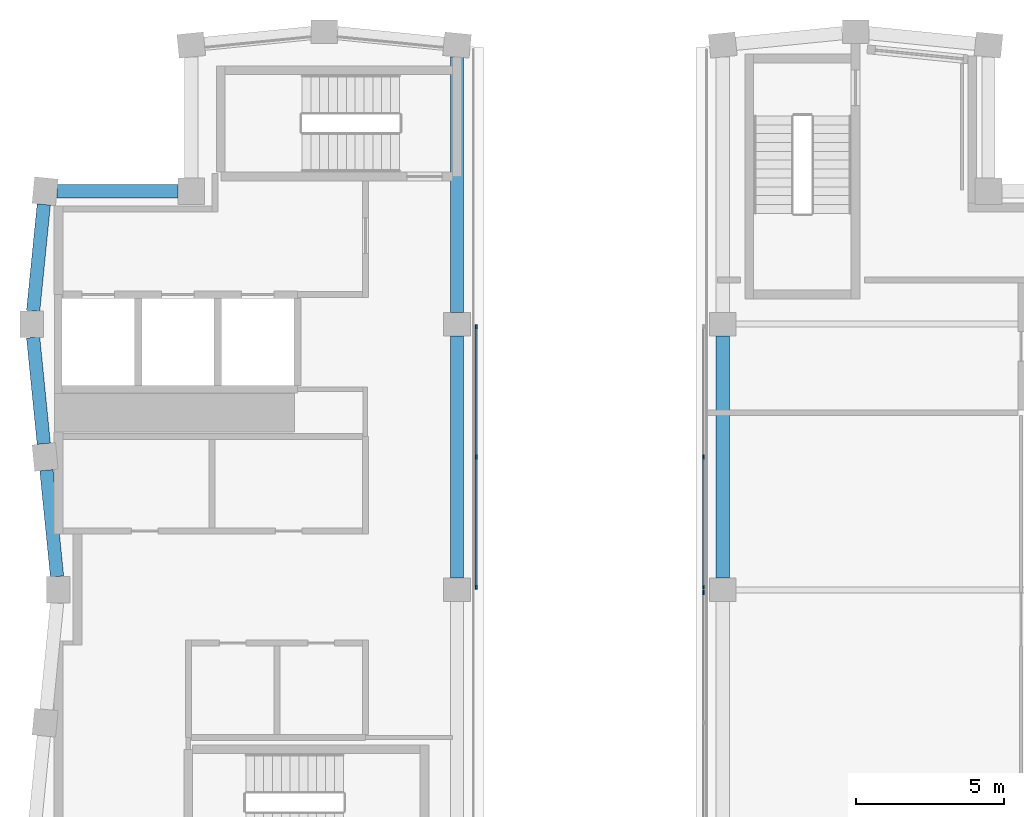
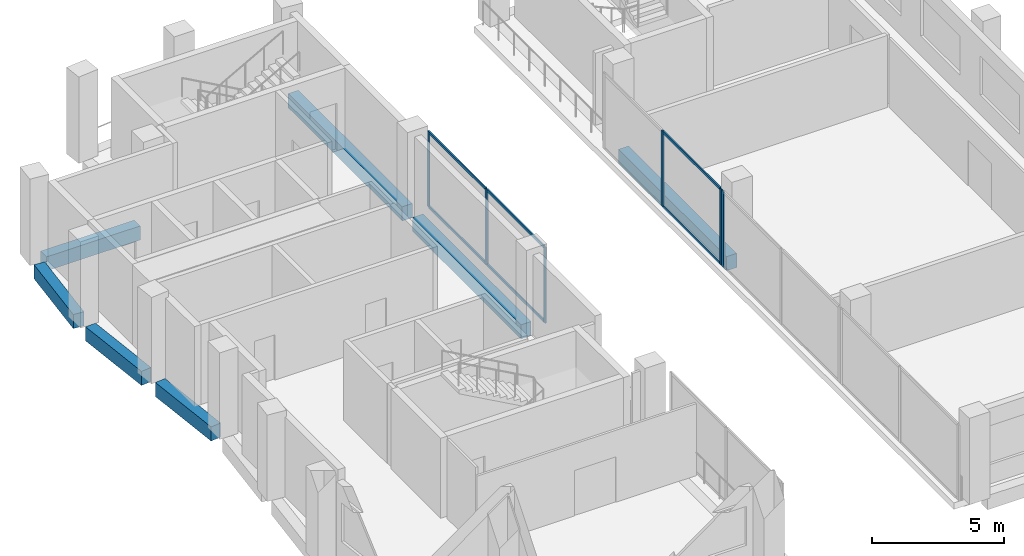
# One storey, part 4 of 9: 12 members, 7 beams, 3 elements without a shape of their own.
"""IFC4 building model written with IfcOpenShell, lengths in metres."""

from ifc_helpers import new_model, si_unit, direction, frame, origin, origin_2d, place, context, subcontext, project, spatial, rectangle, extrude, material, material_profile, profile_set, type_object, element, aggregate, save


model = new_model("IFC4")

# Units and contexts
model_context = context("Model", 3, precision=1e-05, world=origin(), true_north=direction((0.0, 1.0)))
body_context = subcontext(model_context, "Body", "Model", "MODEL_VIEW")
ifc_project = project(units=[si_unit("LENGTHUNIT", "METRE"), si_unit("AREAUNIT", "SQUARE_METRE"), si_unit("VOLUMEUNIT", "CUBIC_METRE"), si_unit("PLANEANGLEUNIT", "RADIAN"), si_unit("MASSUNIT", "GRAM", prefix="KILO")], contexts=[model_context])

# Site, building, storey
site_placement = place(None, origin())
site = spatial("IfcSite", under=ifc_project, at=site_placement, CompositionType="ELEMENT")
building_placement = place(site_placement, origin())
building = spatial("IfcBuilding", under=site, at=building_placement, Name="Brondeck Convention Tower", CompositionType="ELEMENT")
storey_placement = place(building_placement, frame((0.0, 0.0, 286.800048828125)))
storey = spatial("IfcBuildingStorey", under=building, at=storey_placement, Name="L71", CompositionType="ELEMENT", Elevation=286.800048828125)

# Curtain wall, members
ifc_material_1 = material(Name="Aluminium, bronze anodised", Category="aluminium")
curtain_wall_type = type_object("IfcCurtainWallType", Name="Crown screen curtain wall", PredefinedType="NOTDEFINED", material=ifc_material_1)
curtain_wall_1_placement = place(storey_placement, origin())
curtain_wall_1 = element("IfcCurtainWall", 1, at=curtain_wall_1_placement, inside=storey, type_object=curtain_wall_type, Name="ENV-CW4-L71-K1-SLOT-W-05", PredefinedType="NOTDEFINED")
ifc_material_profile_1 = material_profile(ifc_material_1, rectangle(XDim=0.06005859375, YDim=0.139892578125, at=origin_2d()), Name="CW4 mullion")
ifc_profile_set_1 = profile_set([ifc_material_profile_1], Name="Aluminium, bronze anodised")
member_type_1 = type_object("IfcMemberType", Name="CW4 mullion", PredefinedType="MULLION", material=ifc_profile_set_1)
member_1_placement = place(storey_placement, frame((14.14990234375, 53.909912109375, 0.0), z_axis=(0.0, 0.0, 1.0), x_axis=(1.0, 0.0, 0.0)))
member_1 = element("IfcMember", 2, at=member_1_placement, type_object=member_type_1, Name="CW4 mullion 1", PredefinedType="MULLION", context=body_context, shape_type="SweptSolid", body=[
    extrude(rectangle(XDim=0.06005859375, YDim=0.139892578125, at=origin_2d()), origin(), (0.0, 0.0, 1.0), 3.5),
])
member_2_placement = place(storey_placement, frame((14.14990234375, 49.5, 0.0), z_axis=(0.0, 0.0, 1.0), x_axis=(1.0, 0.0, 0.0)))
member_2 = element("IfcMember", 3, at=member_2_placement, type_object=member_type_1, Name="CW4 mullion 2", PredefinedType="MULLION", context=body_context, shape_type="SweptSolid", body=[
    extrude(rectangle(XDim=0.06005859375, YDim=0.139892578125, at=origin_2d()), origin(), (0.0, 0.0, 1.0), 3.5),
])
member_3_placement = place(storey_placement, frame((14.14990234375, 45.090087890625, 0.0), z_axis=(0.0, 0.0, 1.0), x_axis=(1.0, 0.0, 0.0)))
member_3 = element("IfcMember", 4, at=member_3_placement, type_object=member_type_1, Name="CW4 mullion 3", PredefinedType="MULLION", context=body_context, shape_type="SweptSolid", body=[
    extrude(rectangle(XDim=0.06005859375, YDim=0.139892578125, at=origin_2d()), origin(), (0.0, 0.0, 1.0), 3.5),
])

curtain_wall_2_placement = place(storey_placement, origin())
curtain_wall_2 = element("IfcCurtainWall", 5, at=curtain_wall_2_placement, inside=storey, type_object=curtain_wall_type, Name="ENV-CW4-L71-K2-SLOT-E-03", PredefinedType="NOTDEFINED")
member_4_placement = place(storey_placement, frame((21.85009765625, 45.090087890625, 0.0), z_axis=(0.0, 0.0, 1.0), x_axis=(-1.0, 0.0, 0.0)))
member_4 = element("IfcMember", 6, at=member_4_placement, type_object=member_type_1, Name="CW4 mullion 1", PredefinedType="MULLION", context=body_context, shape_type="SweptSolid", body=[
    extrude(rectangle(XDim=0.06005859375, YDim=0.139892578125, at=origin_2d()), origin(), (0.0, 0.0, 1.0), 3.5),
])
member_5_placement = place(storey_placement, frame((21.85009765625, 49.5, 0.0), z_axis=(0.0, 0.0, 1.0), x_axis=(-1.0, 0.0, 0.0)))
member_5 = element("IfcMember", 7, at=member_5_placement, type_object=member_type_1, Name="CW4 mullion 2", PredefinedType="MULLION", context=body_context, shape_type="SweptSolid", body=[
    extrude(rectangle(XDim=0.06005859375, YDim=0.139892578125, at=origin_2d()), origin(), (0.0, 0.0, 1.0), 3.5),
])

# Curtain wall, member
curtain_wall_3_placement = place(storey_placement, origin())
curtain_wall_3 = element("IfcCurtainWall", 8, at=curtain_wall_3_placement, inside=storey, type_object=curtain_wall_type, Name="ENV-CW4-L71-K2-SLOT-E-05", PredefinedType="NOTDEFINED")
member_6_placement = place(storey_placement, frame((21.85009765625, 44.909912109375, 0.0), z_axis=(0.0, 0.0, 1.0), x_axis=(-1.0, 0.0, 0.0)))
member_6 = element("IfcMember", 9, at=member_6_placement, type_object=member_type_1, Name="CW4 mullion 3", PredefinedType="MULLION", context=body_context, shape_type="SweptSolid", body=[
    extrude(rectangle(XDim=0.06005859375, YDim=0.139892578125, at=origin_2d()), origin(), (0.0, 0.0, 1.0), 3.5),
])
aggregate(curtain_wall_3, [member_6])

# Member
ifc_material_profile_2 = material_profile(ifc_material_1, rectangle(XDim=0.06005859375, YDim=0.1201171875, at=origin_2d()), Name="CW4 transom")
ifc_profile_set_2 = profile_set([ifc_material_profile_2], Name="Aluminium, bronze anodised")
member_type_2 = type_object("IfcMemberType", Name="CW4 transom", PredefinedType="USERDEFINED", material=ifc_profile_set_2)
member_7_placement = place(storey_placement, frame((14.14990234375, 53.8798828125, 0.030029296875), z_axis=(0.0, -1.0, 0.0), x_axis=(1.0, 0.0, 0.0)))
member_7 = element("IfcMember", 10, at=member_7_placement, type_object=member_type_2, Name="CW4 transom 1.1", ObjectType="TRANSOM", PredefinedType="USERDEFINED", context=body_context, shape_type="SweptSolid", body=[
    extrude(rectangle(XDim=0.06005859375, YDim=0.1201171875, at=origin_2d()), origin(), (0.0, 0.0, 1.0), 4.349853515625),
])

member_8_placement = place(storey_placement, frame((14.14990234375, 53.8798828125, 3.469970703125), z_axis=(0.0, -1.0, 0.0), x_axis=(1.0, 0.0, 0.0)))
member_8 = element("IfcMember", 11, at=member_8_placement, type_object=member_type_2, Name="CW4 transom 1.2", ObjectType="TRANSOM", PredefinedType="USERDEFINED", context=body_context, shape_type="SweptSolid", body=[
    extrude(rectangle(XDim=0.06005859375, YDim=0.1201171875, at=origin_2d()), origin(), (0.0, 0.0, 1.0), 4.349853515625),
])

member_9_placement = place(storey_placement, frame((14.14990234375, 49.469970703125, 0.030029296875), z_axis=(0.0, -1.0, 0.0), x_axis=(1.0, 0.0, 0.0)))
member_9 = element("IfcMember", 12, at=member_9_placement, type_object=member_type_2, Name="CW4 transom 2.1", ObjectType="TRANSOM", PredefinedType="USERDEFINED", context=body_context, shape_type="SweptSolid", body=[
    extrude(rectangle(XDim=0.06005859375, YDim=0.1201171875, at=origin_2d()), origin(), (0.0, 0.0, 1.0), 4.349853515625),
])

member_10_placement = place(storey_placement, frame((14.14990234375, 49.469970703125, 3.469970703125), z_axis=(0.0, -1.0, 0.0), x_axis=(1.0, 0.0, 0.0)))
member_10 = element("IfcMember", 13, at=member_10_placement, type_object=member_type_2, Name="CW4 transom 2.2", ObjectType="TRANSOM", PredefinedType="USERDEFINED", context=body_context, shape_type="SweptSolid", body=[
    extrude(rectangle(XDim=0.06005859375, YDim=0.1201171875, at=origin_2d()), origin(), (0.0, 0.0, 1.0), 4.349853515625),
])

aggregate(curtain_wall_1, [member_1, member_2, member_3, member_7, member_8, member_9, member_10])

member_11_placement = place(storey_placement, frame((21.85009765625, 45.1201171875, 0.030029296875), z_axis=(0.0, 1.0, 0.0), x_axis=(-1.0, 0.0, 0.0)))
member_11 = element("IfcMember", 14, at=member_11_placement, type_object=member_type_2, Name="CW4 transom 1.1", ObjectType="TRANSOM", PredefinedType="USERDEFINED", context=body_context, shape_type="SweptSolid", body=[
    extrude(rectangle(XDim=0.06005859375, YDim=0.1201171875, at=origin_2d()), origin(), (0.0, 0.0, 1.0), 4.349853515625),
])

member_12_placement = place(storey_placement, frame((21.85009765625, 45.1201171875, 3.469970703125), z_axis=(0.0, 1.0, 0.0), x_axis=(-1.0, 0.0, 0.0)))
member_12 = element("IfcMember", 15, at=member_12_placement, type_object=member_type_2, Name="CW4 transom 1.2", ObjectType="TRANSOM", PredefinedType="USERDEFINED", context=body_context, shape_type="SweptSolid", body=[
    extrude(rectangle(XDim=0.06005859375, YDim=0.1201171875, at=origin_2d()), origin(), (0.0, 0.0, 1.0), 4.349853515625),
])

aggregate(curtain_wall_2, [member_4, member_5, member_11, member_12])

# Beams
ifc_material_2 = material(Name="Concrete C50/60", Category="concrete")
ifc_material_profile_3 = material_profile(ifc_material_2, rectangle(XDim=0.449951171875, YDim=0.64990234375, at=origin_2d()), Name="Precast spandrel 450x650 Concrete C50/60")
ifc_profile_set_3 = profile_set([ifc_material_profile_3], Name="Concrete C50/60")
beam_type = type_object("IfcBeamType", Name="Precast spandrel 450x650 Concrete C50/60", PredefinedType="SPANDREL", material=ifc_profile_set_3)
beam_1_placement = place(storey_placement, frame((13.5, 45.39990234375, -0.324951171875), z_axis=(0.0, 1.0, 0.0), x_axis=(-1.0, 0.0, 0.0)))
element("IfcBeam", 16, at=beam_1_placement, inside=storey, type_object=beam_type, Name="STR-SP-L71K1-004", PredefinedType="SPANDREL", context=body_context, shape_type="SweptSolid", body=[
    extrude(rectangle(XDim=0.449951171875, YDim=0.64990234375, at=origin_2d()), origin(), (0.0, 0.0, 1.0), 8.2001953125),
])
beam_2_placement = place(storey_placement, frame((13.5, 54.39990234375, -0.324951171875), z_axis=(0.0, 1.0, 0.0), x_axis=(-1.0, 0.0, 0.0)))
element("IfcBeam", 17, at=beam_2_placement, inside=storey, type_object=beam_type, Name="STR-SP-L71K1-005", PredefinedType="SPANDREL", context=body_context, shape_type="SweptSolid", body=[
    extrude(rectangle(XDim=0.449951171875, YDim=0.64990234375, at=origin_2d()), origin(), (0.0, 0.0, 1.0), 8.648193359375),
])
beam_3_placement = place(storey_placement, frame((4.050048828125, 58.5, -0.324951171875), z_axis=(-1.0, 0.0, 0.0), x_axis=(0.0, -1.0, 0.0)))
element("IfcBeam", 18, at=beam_3_placement, inside=storey, type_object=beam_type, Name="STR-SP-L71K1-009", PredefinedType="SPANDREL", context=body_context, shape_type="SweptSolid", body=[
    extrude(rectangle(XDim=0.449951171875, YDim=0.64990234375, at=origin_2d()), origin(), (0.0, 0.0, 1.0), 4.09814453125),
])
for number, where, z_axis, x_axis, name in (
    (19, (-0.494873046875, 58.05224609375, -0.324951171875), (-0.099470334057, -0.995040528141, 0.0), (0.995040528141, -0.099470334057, 0.0), "STR-SP-L71K1-010"),
    (20, (-0.85498046875, 53.550048828125, -0.324951171875), (0.099470334057, -0.995040528141, 0.0), (0.995040528141, 0.099470334057, 0.0), "STR-SP-L71K1-011"),
    (21, (-0.4052734375, 49.05224609375, -0.324951171875), (0.099537103649, -0.995033851182, 0.0), (0.995033851182, 0.099537103649, 0.0), "STR-SP-L71K1-012"),
):
    element("IfcBeam", number, at=place(storey_placement, frame(where, z_axis=z_axis, x_axis=x_axis)), inside=storey, type_object=beam_type, Name=name, PredefinedType="SPANDREL", context=body_context, shape_type="SweptSolid", body=[
        extrude(rectangle(XDim=0.449951171875, YDim=0.64990234375, at=origin_2d()), origin(), (0.0, 0.0, 1.0), 3.620361328125),
    ])
beam_4_placement = place(storey_placement, frame((22.5, 53.60009765625, -0.324951171875), z_axis=(0.0, -1.0, 0.0), x_axis=(1.0, 0.0, 0.0)))
element("IfcBeam", 22, at=beam_4_placement, inside=storey, type_object=beam_type, Name="STR-SP-L71K2-015", PredefinedType="SPANDREL", context=body_context, shape_type="SweptSolid", body=[
    extrude(rectangle(XDim=0.449951171875, YDim=0.64990234375, at=origin_2d()), origin(), (0.0, 0.0, 1.0), 8.2001953125),
])

save(model, "model.ifc")
